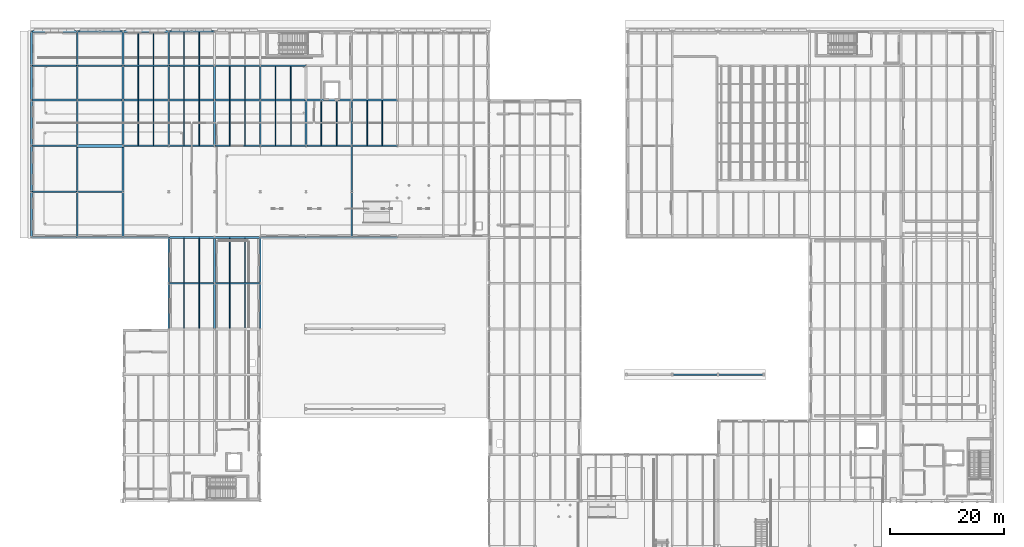
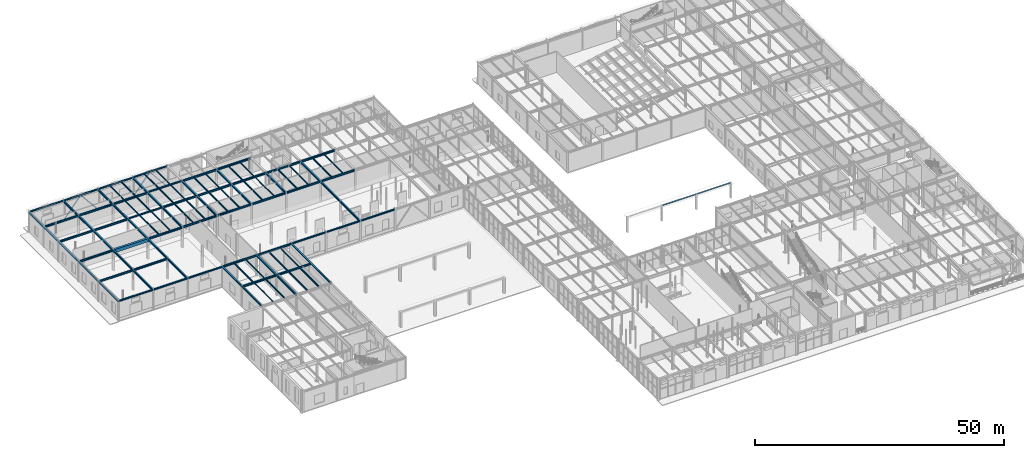
# One storey, part 41 of 129: 104 beams, 4 members.
"""IFC4 building model written with IfcOpenShell, lengths in metres."""

from ifc_helpers import new_model, si_unit, direction, frame, origin, origin_2d, place, context, subcontext, project, spatial, rectangle, hollow_rectangle, hollow_circle, i_section, extrude, material, material_profile, profile_set, type_object, element, save


model = new_model("IFC4")

# Units and contexts
model_context = context("Model", 3, precision=1e-05, world=origin(), true_north=direction((0.0, 1.0)))
body_context = subcontext(model_context, "Body", "Model", "MODEL_VIEW")
ifc_project = project(units=[si_unit("LENGTHUNIT", "METRE"), si_unit("AREAUNIT", "SQUARE_METRE"), si_unit("VOLUMEUNIT", "CUBIC_METRE"), si_unit("PLANEANGLEUNIT", "RADIAN"), si_unit("MASSUNIT", "GRAM", prefix="KILO")], contexts=[model_context])

# Site, building, storey
site_placement = place(None, origin())
site = spatial("IfcSite", under=ifc_project, at=site_placement, CompositionType="ELEMENT")
building_placement = place(site_placement, origin())
building = spatial("IfcBuilding", under=site, at=building_placement, Name="Sundkrona Museum", CompositionType="ELEMENT")
storey_placement = place(building_placement, origin())
storey = spatial("IfcBuildingStorey", under=building, at=storey_placement, Name="L00", CompositionType="ELEMENT", Elevation=0.0)

# Beams
ifc_material_1 = material(Name="Steel S355J2", Category="steel")
ifc_material_profile_1 = material_profile(ifc_material_1, i_section(OverallWidth=0.239990234375, OverallDepth=0.22998046875, WebThickness=0.007568359375, FlangeThickness=0.011962890625, FilletRadius=0.02099609375, at=origin_2d()), Name="HEA 240")
ifc_profile_set_1 = profile_set([ifc_material_profile_1], Name="Steel S355J2")
beam_type_1 = type_object("IfcBeamType", Name="B-HEA240", PredefinedType="BEAM", material=ifc_profile_set_1)
for number, where, z_axis, x_axis, name in (
    (1, (112.0, 54.0, 3.679931640625), (1.0, 0.0, 0.0), (0.0, 1.0, 0.0), "Courtyard Pergola Tie Beam SCN-2"),
    (2, (120.0, 54.0, 3.679931640625), (1.0, 0.0, 0.0), (0.0, 1.0, 0.0), "Courtyard Pergola Tie Beam SCN-3"),
):
    element("IfcBeam", number, at=place(storey_placement, frame(where, z_axis=z_axis, x_axis=x_axis)), inside=storey, type_object=beam_type_1, Name=name, PredefinedType="BEAM", context=body_context, shape_type="SweptSolid", body=[
        extrude(i_section(OverallWidth=0.239990234375, OverallDepth=0.22998046875, WebThickness=0.007568359375, FlangeThickness=0.011962890625, FilletRadius=0.02099609375, at=origin_2d()), origin(), (0.0, 0.0, 1.0), 8.0),
    ])
ifc_material_profile_2 = material_profile(ifc_material_1, i_section(OverallWidth=0.300048828125, OverallDepth=0.2900390625, WebThickness=0.008544921875, FlangeThickness=0.013916015625, FilletRadius=0.027099609375, at=origin_2d()), Name="HEA 300")
ifc_profile_set_2 = profile_set([ifc_material_profile_2], Name="Steel S355J2")
beam_type_2 = type_object("IfcBeamType", Name="B-HEA300", PredefinedType="BEAM", material=ifc_profile_set_2)
beam_1_placement = place(storey_placement, frame((16.0, 102.0, 4.955078125), z_axis=(1.0, 0.0, 0.0), x_axis=(0.0, 1.0, 0.0)))
element("IfcBeam", 3, at=beam_1_placement, inside=storey, type_object=beam_type_2, Name="L00 Girder X-0567", PredefinedType="BEAM", context=body_context, shape_type="SweptSolid", body=[
    extrude(i_section(OverallWidth=0.300048828125, OverallDepth=0.2900390625, WebThickness=0.008544921875, FlangeThickness=0.013916015625, FilletRadius=0.027099609375, at=origin_2d()), origin(), (0.0, 0.0, 1.0), 8.0),
])
ifc_material_profile_3 = material_profile(ifc_material_1, i_section(OverallWidth=0.300048828125, OverallDepth=0.43994140625, WebThickness=0.011474609375, FlangeThickness=0.02099609375, FilletRadius=0.027099609375, at=origin_2d()), Name="HEA 450")
ifc_profile_set_3 = profile_set([ifc_material_profile_3], Name="Steel S355J2")
beam_type_3 = type_object("IfcBeamType", Name="B-HEA450", PredefinedType="BEAM", material=ifc_profile_set_3)
for number, where, z_axis, x_axis, name in (
    (4, (24.0, 70.0, 4.93994140625), (1.0, 0.0, 0.0), (0.0, 1.0, 0.0), "L00 Girder X-0507"),
    (5, (32.0, 70.0, 4.93994140625), (1.0, 0.0, 0.0), (0.0, 1.0, 0.0), "L00 Girder X-0508"),
    (6, (24.0, 78.0, 4.93994140625), (1.0, 0.0, 0.0), (0.0, 1.0, 0.0), "L00 Girder X-0518"),
    (7, (32.0, 78.0, 4.93994140625), (1.0, 0.0, 0.0), (0.0, 1.0, 0.0), "L00 Girder X-0519"),
    (8, (0.0, 86.0, 4.8798828125), (1.0, 0.0, 0.0), (0.0, 1.0, 0.0), "L00 Girder X-0535"),
    (9, (8.0, 86.0, 4.8798828125), (1.0, 0.0, 0.0), (0.0, 1.0, 0.0), "L00 Girder X-0536"),
    (10, (0.0, 94.0, 4.8798828125), (1.0, 0.0, 0.0), (0.0, 1.0, 0.0), "L00 Girder X-0548"),
    (11, (16.0, 94.0, 4.8798828125), (1.0, 0.0, 0.0), (0.0, 1.0, 0.0), "L00 Girder X-0550"),
    (12, (24.0, 94.0, 4.93994140625), (1.0, 0.0, 0.0), (0.0, 1.0, 0.0), "L00 Girder X-0551"),
    (13, (32.0, 94.0, 4.93994140625), (1.0, 0.0, 0.0), (0.0, 1.0, 0.0), "L00 Girder X-0552"),
    (14, (40.0, 94.0, 4.93994140625), (1.0, 0.0, 0.0), (0.0, 1.0, 0.0), "L00 Girder X-0553"),
    (15, (48.0, 94.0, 4.93994140625), (1.0, 0.0, 0.0), (0.0, 1.0, 0.0), "L00 Girder X-0554"),
    (16, (56.0, 94.0, 4.93994140625), (1.0, 0.0, 0.0), (0.0, 1.0, 0.0), "L00 Girder X-0555"),
    (17, (0.0, 102.0, 4.8798828125), (1.0, 0.0, 0.0), (0.0, 1.0, 0.0), "L00 Girder X-0565"),
    (18, (8.0, 102.0, 4.8798828125), (1.0, 0.0, 0.0), (0.0, 1.0, 0.0), "L00 Girder X-0566"),
    (19, (24.0, 102.0, 4.93994140625), (1.0, 0.0, 0.0), (0.0, 1.0, 0.0), "L00 Girder X-0568"),
    (20, (32.0, 102.0, 4.93994140625), (1.0, 0.0, 0.0), (0.0, 1.0, 0.0), "L00 Girder X-0569"),
    (21, (40.0, 102.0, 4.93994140625), (1.0, 0.0, 0.0), (0.0, 1.0, 0.0), "L00 Girder X-0570"),
    (22, (48.0, 102.0, 4.93994140625), (1.0, 0.0, 0.0), (0.0, 1.0, 0.0), "L00 Girder X-0571"),
    (23, (56.0, 102.0, 4.93994140625), (1.0, 0.0, 0.0), (0.0, 1.0, 0.0), "L00 Girder X-0572"),
    (24, (0.0, 108.0, 4.8798828125), (1.0, 0.0, 0.0), (0.0, 1.0, 0.0), "L00 Girder X-0582"),
    (25, (8.0, 108.0, 4.8798828125), (1.0, 0.0, 0.0), (0.0, 1.0, 0.0), "L00 Girder X-0583"),
    (26, (16.0, 108.0, 4.8798828125), (1.0, 0.0, 0.0), (0.0, 1.0, 0.0), "L00 Girder X-0584"),
    (27, (32.0, 108.0, 4.93994140625), (1.0, 0.0, 0.0), (0.0, 1.0, 0.0), "L00 Girder X-0586"),
    (28, (40.0, 108.0, 4.93994140625), (1.0, 0.0, 0.0), (0.0, 1.0, 0.0), "L00 Girder X-0587"),
    (29, (8.0, 78.0, 4.8798828125), (0.0, 1.0, 0.0), (-1.0, 0.0, 0.0), "L00 Girder Y-0620"),
    (30, (8.0, 86.0, 4.8798828125), (0.0, 1.0, 0.0), (-1.0, 0.0, 0.0), "L00 Girder Y-0621"),
    (31, (8.0, 94.0, 4.8798828125), (0.0, 1.0, 0.0), (-1.0, 0.0, 0.0), "L00 Girder Y-0622"),
):
    element("IfcBeam", number, at=place(storey_placement, frame(where, z_axis=z_axis, x_axis=x_axis)), inside=storey, type_object=beam_type_3, Name=name, PredefinedType="BEAM", context=body_context, shape_type="SweptSolid", body=[
        extrude(i_section(OverallWidth=0.300048828125, OverallDepth=0.43994140625, WebThickness=0.011474609375, FlangeThickness=0.02099609375, FilletRadius=0.027099609375, at=origin_2d()), origin(), (0.0, 0.0, 1.0), 8.0),
    ])
for number, where, z_axis, x_axis, name in (
    (32, (8.0, 102.0, 4.8798828125), (0.0, 1.0, 0.0), (-1.0, 0.0, 0.0), "L00 Girder Y-0623"),
    (33, (8.0, 108.0, 4.8798828125), (0.0, 1.0, 0.0), (-1.0, 0.0, 0.0), "L00 Girder Y-0624"),
):
    element("IfcBeam", number, at=place(storey_placement, frame(where, z_axis=z_axis, x_axis=x_axis)), inside=storey, type_object=beam_type_3, Name=name, PredefinedType="BEAM", context=body_context, shape_type="SweptSolid", body=[
        extrude(i_section(OverallWidth=0.300048828125, OverallDepth=0.43994140625, WebThickness=0.011474609375, FlangeThickness=0.02099609375, FilletRadius=0.027099609375, at=origin_2d()), origin(), (0.0, 0.0, 1.0), 6.0),
    ])
for number, where, z_axis, x_axis, name in (
    (34, (16.0, 78.0, 4.8798828125), (0.0, 1.0, 0.0), (-1.0, 0.0, 0.0), "L00 Girder Y-0625"),
    (35, (16.0, 86.0, 4.8798828125), (0.0, 1.0, 0.0), (-1.0, 0.0, 0.0), "L00 Girder Y-0626"),
    (36, (16.0, 94.0, 4.8798828125), (0.0, 1.0, 0.0), (-1.0, 0.0, 0.0), "L00 Girder Y-0627"),
):
    element("IfcBeam", number, at=place(storey_placement, frame(where, z_axis=z_axis, x_axis=x_axis)), inside=storey, type_object=beam_type_3, Name=name, PredefinedType="BEAM", context=body_context, shape_type="SweptSolid", body=[
        extrude(i_section(OverallWidth=0.300048828125, OverallDepth=0.43994140625, WebThickness=0.011474609375, FlangeThickness=0.02099609375, FilletRadius=0.027099609375, at=origin_2d()), origin(), (0.0, 0.0, 1.0), 8.0),
    ])
for number, where, z_axis, x_axis, name in (
    (37, (16.0, 102.0, 4.8798828125), (0.0, 1.0, 0.0), (-1.0, 0.0, 0.0), "L00 Girder Y-0628"),
    (38, (16.0, 108.0, 4.8798828125), (0.0, 1.0, 0.0), (-1.0, 0.0, 0.0), "L00 Girder Y-0629"),
):
    element("IfcBeam", number, at=place(storey_placement, frame(where, z_axis=z_axis, x_axis=x_axis)), inside=storey, type_object=beam_type_3, Name=name, PredefinedType="BEAM", context=body_context, shape_type="SweptSolid", body=[
        extrude(i_section(OverallWidth=0.300048828125, OverallDepth=0.43994140625, WebThickness=0.011474609375, FlangeThickness=0.02099609375, FilletRadius=0.027099609375, at=origin_2d()), origin(), (0.0, 0.0, 1.0), 6.0),
    ])
beam_2_placement = place(storey_placement, frame((24.0, 94.0, 4.93994140625), z_axis=(0.0, 1.0, 0.0), x_axis=(-1.0, 0.0, 0.0)))
element("IfcBeam", 39, at=beam_2_placement, inside=storey, type_object=beam_type_3, Name="L00 Girder Y-0636", PredefinedType="BEAM", context=body_context, shape_type="SweptSolid", body=[
    extrude(i_section(OverallWidth=0.300048828125, OverallDepth=0.43994140625, WebThickness=0.011474609375, FlangeThickness=0.02099609375, FilletRadius=0.027099609375, at=origin_2d()), origin(), (0.0, 0.0, 1.0), 8.0),
])
for number, where, z_axis, x_axis, name in (
    (40, (24.0, 102.0, 4.93994140625), (0.0, 1.0, 0.0), (-1.0, 0.0, 0.0), "L00 Girder Y-0637"),
    (41, (24.0, 108.0, 4.93994140625), (0.0, 1.0, 0.0), (-1.0, 0.0, 0.0), "L00 Girder Y-0638"),
):
    element("IfcBeam", number, at=place(storey_placement, frame(where, z_axis=z_axis, x_axis=x_axis)), inside=storey, type_object=beam_type_3, Name=name, PredefinedType="BEAM", context=body_context, shape_type="SweptSolid", body=[
        extrude(i_section(OverallWidth=0.300048828125, OverallDepth=0.43994140625, WebThickness=0.011474609375, FlangeThickness=0.02099609375, FilletRadius=0.027099609375, at=origin_2d()), origin(), (0.0, 0.0, 1.0), 6.0),
    ])
for number, where, z_axis, x_axis, name in (
    (42, (32.0, 62.0, 4.93994140625), (0.0, 1.0, 0.0), (-1.0, 0.0, 0.0), "L00 Girder Y-0642"),
    (43, (32.0, 70.0, 4.93994140625), (0.0, 1.0, 0.0), (-1.0, 0.0, 0.0), "L00 Girder Y-0643"),
    (44, (32.0, 94.0, 4.93994140625), (0.0, 1.0, 0.0), (-1.0, 0.0, 0.0), "L00 Girder Y-0644"),
):
    element("IfcBeam", number, at=place(storey_placement, frame(where, z_axis=z_axis, x_axis=x_axis)), inside=storey, type_object=beam_type_3, Name=name, PredefinedType="BEAM", context=body_context, shape_type="SweptSolid", body=[
        extrude(i_section(OverallWidth=0.300048828125, OverallDepth=0.43994140625, WebThickness=0.011474609375, FlangeThickness=0.02099609375, FilletRadius=0.027099609375, at=origin_2d()), origin(), (0.0, 0.0, 1.0), 8.0),
    ])
beam_3_placement = place(storey_placement, frame((32.0, 102.0, 4.93994140625), z_axis=(0.0, 1.0, 0.0), x_axis=(-1.0, 0.0, 0.0)))
element("IfcBeam", 45, at=beam_3_placement, inside=storey, type_object=beam_type_3, Name="L00 Girder Y-0645", PredefinedType="BEAM", context=body_context, shape_type="SweptSolid", body=[
    extrude(i_section(OverallWidth=0.300048828125, OverallDepth=0.43994140625, WebThickness=0.011474609375, FlangeThickness=0.02099609375, FilletRadius=0.027099609375, at=origin_2d()), origin(), (0.0, 0.0, 1.0), 6.0),
])
beam_4_placement = place(storey_placement, frame((40.0, 94.0, 4.93994140625), z_axis=(0.0, 1.0, 0.0), x_axis=(-1.0, 0.0, 0.0)))
element("IfcBeam", 46, at=beam_4_placement, inside=storey, type_object=beam_type_3, Name="L00 Girder Y-0653", PredefinedType="BEAM", context=body_context, shape_type="SweptSolid", body=[
    extrude(i_section(OverallWidth=0.300048828125, OverallDepth=0.43994140625, WebThickness=0.011474609375, FlangeThickness=0.02099609375, FilletRadius=0.027099609375, at=origin_2d()), origin(), (0.0, 0.0, 1.0), 8.0),
])
beam_5_placement = place(storey_placement, frame((40.0, 102.0, 4.93994140625), z_axis=(0.0, 1.0, 0.0), x_axis=(-1.0, 0.0, 0.0)))
element("IfcBeam", 47, at=beam_5_placement, inside=storey, type_object=beam_type_3, Name="L00 Girder Y-0654", PredefinedType="BEAM", context=body_context, shape_type="SweptSolid", body=[
    extrude(i_section(OverallWidth=0.300048828125, OverallDepth=0.43994140625, WebThickness=0.011474609375, FlangeThickness=0.02099609375, FilletRadius=0.027099609375, at=origin_2d()), origin(), (0.0, 0.0, 1.0), 6.0),
])
for number, where, z_axis, x_axis, name in (
    (48, (48.0, 94.0, 4.93994140625), (0.0, 1.0, 0.0), (-1.0, 0.0, 0.0), "L00 Girder Y-0656"),
    (49, (56.0, 78.0, 4.93994140625), (0.0, 1.0, 0.0), (-1.0, 0.0, 0.0), "L00 Girder Y-0658"),
    (50, (56.0, 86.0, 4.93994140625), (0.0, 1.0, 0.0), (-1.0, 0.0, 0.0), "L00 Girder Y-0659"),
    (51, (56.0, 94.0, 4.93994140625), (0.0, 1.0, 0.0), (-1.0, 0.0, 0.0), "L00 Girder Y-0660"),
):
    element("IfcBeam", number, at=place(storey_placement, frame(where, z_axis=z_axis, x_axis=x_axis)), inside=storey, type_object=beam_type_3, Name=name, PredefinedType="BEAM", context=body_context, shape_type="SweptSolid", body=[
        extrude(i_section(OverallWidth=0.300048828125, OverallDepth=0.43994140625, WebThickness=0.011474609375, FlangeThickness=0.02099609375, FilletRadius=0.027099609375, at=origin_2d()), origin(), (0.0, 0.0, 1.0), 8.0),
    ])
ifc_material_profile_4 = material_profile(ifc_material_1, i_section(OverallWidth=0.300048828125, OverallDepth=0.300048828125, WebThickness=0.010986328125, FlangeThickness=0.01904296875, FilletRadius=0.027099609375, at=origin_2d()), Name="HEB 300")
ifc_profile_set_4 = profile_set([ifc_material_profile_4], Name="Steel S355J2")
beam_type_4 = type_object("IfcBeamType", Name="B-HEB300", PredefinedType="BEAM", material=ifc_profile_set_4)
beam_6_placement = place(storey_placement, frame((24.0, 108.0, 5.010009765625), z_axis=(1.0, 0.0, 0.0), x_axis=(0.0, 1.0, 0.0)))
element("IfcBeam", 52, at=beam_6_placement, inside=storey, type_object=beam_type_4, Name="L00 Girder X-0585", PredefinedType="BEAM", context=body_context, shape_type="SweptSolid", body=[
    extrude(i_section(OverallWidth=0.300048828125, OverallDepth=0.300048828125, WebThickness=0.010986328125, FlangeThickness=0.01904296875, FilletRadius=0.027099609375, at=origin_2d()), origin(), (0.0, 0.0, 1.0), 8.0),
])
ifc_material_2 = material(Name="Concrete C40/50", Category="concrete")
ifc_material_profile_5 = material_profile(ifc_material_2, rectangle(XDim=0.5, YDim=0.800048828125, at=origin_2d()), Name="RCB 500x800")
ifc_profile_set_5 = profile_set([ifc_material_profile_5], Name="Concrete C40/50")
beam_type_5 = type_object("IfcBeamType", Name="B-RC500", PredefinedType="BEAM", material=ifc_profile_set_5)
beam_7_placement = place(storey_placement, frame((8.0, 94.0, 4.699951171875), z_axis=(1.0, 0.0, 0.0), x_axis=(0.0, 1.0, 0.0)))
element("IfcBeam", 53, at=beam_7_placement, inside=storey, type_object=beam_type_5, Name="L00 Girder X-0549", PredefinedType="BEAM", context=body_context, shape_type="SweptSolid", body=[
    extrude(rectangle(XDim=0.5, YDim=0.800048828125, at=origin_2d()), origin(), (0.0, 0.0, 1.0), 8.0),
])

# Members
ifc_material_profile_6 = material_profile(ifc_material_1, hollow_circle(Radius=0.136474609375, WallThickness=0.012451171875, at=origin_2d()), Name="CHS 273.0x12.5")
ifc_profile_set_6 = profile_set([ifc_material_profile_6], Name="Steel S355J2")
member_type_1 = type_object("IfcMemberType", Name="BR-CHS273", PredefinedType="BRACE", material=ifc_profile_set_6)
for number, where, z_axis, x_axis, name in (
    (54, (8.0, 114.0, 0.0), (0.63393706041, 0.0, 0.773384641326), (0.0, 1.0, 0.0), "CBR-1 L00 Concentric Chevron Brace 033A"),
    (55, (16.0, 114.0, 0.0), (-0.63393706041, 0.0, 0.773384641326), (0.0, -1.0, 0.0), "CBR-1 L00 Concentric Chevron Brace 033B"),
):
    element("IfcMember", number, at=place(storey_placement, frame(where, z_axis=z_axis, x_axis=x_axis)), inside=storey, type_object=member_type_1, Name=name, PredefinedType="BRACE", context=body_context, shape_type="SweptSolid", body=[
        extrude(hollow_circle(Radius=0.136474609375, WallThickness=0.012451171875, at=origin_2d()), origin(), (0.0, 0.0, 1.0), 6.309814453125),
    ])
ifc_material_profile_7 = material_profile(ifc_material_1, hollow_rectangle(XDim=0.199951171875, YDim=0.199951171875, WallThickness=0.010009765625, at=origin_2d()), Name="SHS 200x200x10.0")
ifc_profile_set_7 = profile_set([ifc_material_profile_7], Name="Steel S355J2")
member_type_2 = type_object("IfcMemberType", Name="BR-SHS200", PredefinedType="BRACE", material=ifc_profile_set_7)
for number, where, z_axis, x_axis, name in (
    (56, (24.0, 114.0, 0.0), (0.629293246808, 0.0, 0.777167941645), (0.0, 1.0, 0.0), "CBR-1 L00 Concentric Chevron Brace 014A"),
    (57, (32.0, 114.0, 0.0), (-0.629293246808, 0.0, 0.777167941645), (0.0, -1.0, 0.0), "CBR-1 L00 Concentric Chevron Brace 014B"),
):
    element("IfcMember", number, at=place(storey_placement, frame(where, z_axis=z_axis, x_axis=x_axis)), inside=storey, type_object=member_type_2, Name=name, PredefinedType="BRACE", context=body_context, shape_type="SweptSolid", body=[
        extrude(hollow_rectangle(XDim=0.199951171875, YDim=0.199951171875, WallThickness=0.010009765625, at=origin_2d()), origin(), (0.0, 0.0, 1.0), 6.3564453125),
    ])

# Beams
ifc_material_profile_8 = material_profile(ifc_material_1, i_section(OverallWidth=0.091064453125, OverallDepth=0.179931640625, WebThickness=0.00537109375, FlangeThickness=0.008056640625, FilletRadius=0.009033203125, at=origin_2d()), Name="IPE 180")
ifc_profile_set_8 = profile_set([ifc_material_profile_8], Name="Steel S355J2")
beam_type_6 = type_object("IfcBeamType", Name="J-IPE180", PredefinedType="JOIST", material=ifc_profile_set_8)
beam_8_placement = place(storey_placement, frame((26.666748046875, 62.14404296875, 5.070068359375), z_axis=(0.0, 1.0, 0.0), x_axis=(-1.0, 0.0, 0.0)))
element("IfcBeam", 58, at=beam_8_placement, inside=storey, type_object=beam_type_6, Name="L00 Composite Joist 0335", PredefinedType="JOIST", context=body_context, shape_type="SweptSolid", body=[
    extrude(i_section(OverallWidth=0.091064453125, OverallDepth=0.179931640625, WebThickness=0.00537109375, FlangeThickness=0.008056640625, FilletRadius=0.009033203125, at=origin_2d()), origin(), (0.0, 0.0, 1.0), 7.7119140625),
])
ifc_material_profile_9 = material_profile(ifc_material_1, i_section(OverallWidth=0.10009765625, OverallDepth=0.199951171875, WebThickness=0.005615234375, FlangeThickness=0.008544921875, FilletRadius=0.011962890625, at=origin_2d()), Name="IPE 200")
ifc_profile_set_9 = profile_set([ifc_material_profile_9], Name="Steel S355J2")
beam_type_7 = type_object("IfcBeamType", Name="J-IPE200", PredefinedType="JOIST", material=ifc_profile_set_9)
beam_9_placement = place(storey_placement, frame((45.333251953125, 94.14404296875, 5.06005859375), z_axis=(0.0, 1.0, 0.0), x_axis=(-1.0, 0.0, 0.0)))
element("IfcBeam", 59, at=beam_9_placement, inside=storey, type_object=beam_type_7, Name="L00 Composite Joist 0360", PredefinedType="JOIST", context=body_context, shape_type="SweptSolid", body=[
    extrude(i_section(OverallWidth=0.10009765625, OverallDepth=0.199951171875, WebThickness=0.005615234375, FlangeThickness=0.008544921875, FilletRadius=0.011962890625, at=origin_2d()), origin(), (0.0, 0.0, 1.0), 7.7119140625),
])
ifc_material_profile_10 = material_profile(ifc_material_1, i_section(OverallWidth=0.14990234375, OverallDepth=0.300048828125, WebThickness=0.007080078125, FlangeThickness=0.0107421875, FilletRadius=0.014892578125, at=origin_2d()), Name="IPE 300")
ifc_profile_set_10 = profile_set([ifc_material_profile_10], Name="Steel S355J2")
beam_type_8 = type_object("IfcBeamType", Name="J-IPE300", PredefinedType="JOIST", material=ifc_profile_set_10)
beam_10_placement = place(storey_placement, frame((34.666748046875, 102.14404296875, 5.010009765625), z_axis=(0.0, 1.0, 0.0), x_axis=(-1.0, 0.0, 0.0)))
element("IfcBeam", 60, at=beam_10_placement, inside=storey, type_object=beam_type_8, Name="L00 Composite Joist 0355", PredefinedType="JOIST", context=body_context, shape_type="SweptSolid", body=[
    extrude(i_section(OverallWidth=0.14990234375, OverallDepth=0.300048828125, WebThickness=0.007080078125, FlangeThickness=0.0107421875, FilletRadius=0.014892578125, at=origin_2d()), origin(), (0.0, 0.0, 1.0), 5.7119140625),
])
ifc_material_profile_11 = material_profile(ifc_material_1, i_section(OverallWidth=0.159912109375, OverallDepth=0.330078125, WebThickness=0.007568359375, FlangeThickness=0.011474609375, FilletRadius=0.01806640625, at=origin_2d()), Name="IPE 330")
ifc_profile_set_11 = profile_set([ifc_material_profile_11], Name="Steel S355J2")
beam_type_9 = type_object("IfcBeamType", Name="J-IPE330", PredefinedType="JOIST", material=ifc_profile_set_11)
for number, where, z_axis, x_axis, name in (
    (61, (18.666748046875, 94.14404296875, 4.93505859375), (0.0, 1.0, 0.0), (-1.0, 0.0, 0.0), "L00 Composite Joist 0322"),
    (62, (21.333251953125, 94.14404296875, 4.93505859375), (0.0, 1.0, 0.0), (-1.0, 0.0, 0.0), "L00 Composite Joist 0323"),
):
    element("IfcBeam", number, at=place(storey_placement, frame(where, z_axis=z_axis, x_axis=x_axis)), inside=storey, type_object=beam_type_9, Name=name, PredefinedType="JOIST", context=body_context, shape_type="SweptSolid", body=[
        extrude(i_section(OverallWidth=0.159912109375, OverallDepth=0.330078125, WebThickness=0.007568359375, FlangeThickness=0.011474609375, FilletRadius=0.01806640625, at=origin_2d()), origin(), (0.0, 0.0, 1.0), 7.7119140625),
    ])
for number, where, z_axis, x_axis, name in (
    (63, (18.666748046875, 102.14404296875, 4.93505859375), (0.0, 1.0, 0.0), (-1.0, 0.0, 0.0), "L00 Composite Joist 0324"),
    (64, (18.666748046875, 108.14404296875, 4.93505859375), (0.0, 1.0, 0.0), (-1.0, 0.0, 0.0), "L00 Composite Joist 0326"),
    (65, (21.333251953125, 108.14404296875, 4.93505859375), (0.0, 1.0, 0.0), (-1.0, 0.0, 0.0), "L00 Composite Joist 0327"),
):
    element("IfcBeam", number, at=place(storey_placement, frame(where, z_axis=z_axis, x_axis=x_axis)), inside=storey, type_object=beam_type_9, Name=name, PredefinedType="JOIST", context=body_context, shape_type="SweptSolid", body=[
        extrude(i_section(OverallWidth=0.159912109375, OverallDepth=0.330078125, WebThickness=0.007568359375, FlangeThickness=0.011474609375, FilletRadius=0.01806640625, at=origin_2d()), origin(), (0.0, 0.0, 1.0), 5.7119140625),
    ])
for number, where, z_axis, x_axis, name in (
    (66, (29.333251953125, 62.14404296875, 4.9951171875), (0.0, 1.0, 0.0), (-1.0, 0.0, 0.0), "L00 Composite Joist 0336"),
    (67, (26.666748046875, 70.14404296875, 4.9951171875), (0.0, 1.0, 0.0), (-1.0, 0.0, 0.0), "L00 Composite Joist 0337"),
    (68, (29.333251953125, 70.14404296875, 4.9951171875), (0.0, 1.0, 0.0), (-1.0, 0.0, 0.0), "L00 Composite Joist 0338"),
    (69, (26.666748046875, 94.14404296875, 4.9951171875), (0.0, 1.0, 0.0), (-1.0, 0.0, 0.0), "L00 Composite Joist 0339"),
    (70, (29.333251953125, 94.14404296875, 4.9951171875), (0.0, 1.0, 0.0), (-1.0, 0.0, 0.0), "L00 Composite Joist 0340"),
):
    element("IfcBeam", number, at=place(storey_placement, frame(where, z_axis=z_axis, x_axis=x_axis)), inside=storey, type_object=beam_type_9, Name=name, PredefinedType="JOIST", context=body_context, shape_type="SweptSolid", body=[
        extrude(i_section(OverallWidth=0.159912109375, OverallDepth=0.330078125, WebThickness=0.007568359375, FlangeThickness=0.011474609375, FilletRadius=0.01806640625, at=origin_2d()), origin(), (0.0, 0.0, 1.0), 7.7119140625),
    ])
for number, where, z_axis, x_axis, name in (
    (71, (26.666748046875, 102.14404296875, 4.9951171875), (0.0, 1.0, 0.0), (-1.0, 0.0, 0.0), "L00 Composite Joist 0341"),
    (72, (29.333251953125, 102.14404296875, 4.9951171875), (0.0, 1.0, 0.0), (-1.0, 0.0, 0.0), "L00 Composite Joist 0342"),
    (73, (26.666748046875, 108.14404296875, 4.9951171875), (0.0, 1.0, 0.0), (-1.0, 0.0, 0.0), "L00 Composite Joist 0343"),
    (74, (29.333251953125, 108.14404296875, 4.9951171875), (0.0, 1.0, 0.0), (-1.0, 0.0, 0.0), "L00 Composite Joist 0344"),
):
    element("IfcBeam", number, at=place(storey_placement, frame(where, z_axis=z_axis, x_axis=x_axis)), inside=storey, type_object=beam_type_9, Name=name, PredefinedType="JOIST", context=body_context, shape_type="SweptSolid", body=[
        extrude(i_section(OverallWidth=0.159912109375, OverallDepth=0.330078125, WebThickness=0.007568359375, FlangeThickness=0.011474609375, FilletRadius=0.01806640625, at=origin_2d()), origin(), (0.0, 0.0, 1.0), 5.7119140625),
    ])
for number, where, z_axis, x_axis, name in (
    (75, (34.666748046875, 62.14404296875, 4.9951171875), (0.0, 1.0, 0.0), (-1.0, 0.0, 0.0), "L00 Composite Joist 0349"),
    (76, (34.666748046875, 70.14404296875, 4.9951171875), (0.0, 1.0, 0.0), (-1.0, 0.0, 0.0), "L00 Composite Joist 0351"),
    (77, (37.333251953125, 70.14404296875, 4.9951171875), (0.0, 1.0, 0.0), (-1.0, 0.0, 0.0), "L00 Composite Joist 0352"),
    (78, (34.666748046875, 94.14404296875, 4.9951171875), (0.0, 1.0, 0.0), (-1.0, 0.0, 0.0), "L00 Composite Joist 0353"),
    (79, (37.333251953125, 94.14404296875, 4.9951171875), (0.0, 1.0, 0.0), (-1.0, 0.0, 0.0), "L00 Composite Joist 0354"),
):
    element("IfcBeam", number, at=place(storey_placement, frame(where, z_axis=z_axis, x_axis=x_axis)), inside=storey, type_object=beam_type_9, Name=name, PredefinedType="JOIST", context=body_context, shape_type="SweptSolid", body=[
        extrude(i_section(OverallWidth=0.159912109375, OverallDepth=0.330078125, WebThickness=0.007568359375, FlangeThickness=0.011474609375, FilletRadius=0.01806640625, at=origin_2d()), origin(), (0.0, 0.0, 1.0), 7.7119140625),
    ])
beam_11_placement = place(storey_placement, frame((37.333251953125, 102.14404296875, 4.9951171875), z_axis=(0.0, 1.0, 0.0), x_axis=(-1.0, 0.0, 0.0)))
element("IfcBeam", 80, at=beam_11_placement, inside=storey, type_object=beam_type_9, Name="L00 Composite Joist 0356", PredefinedType="JOIST", context=body_context, shape_type="SweptSolid", body=[
    extrude(i_section(OverallWidth=0.159912109375, OverallDepth=0.330078125, WebThickness=0.007568359375, FlangeThickness=0.011474609375, FilletRadius=0.01806640625, at=origin_2d()), origin(), (0.0, 0.0, 1.0), 5.7119140625),
])
beam_12_placement = place(storey_placement, frame((42.666748046875, 94.14404296875, 4.9951171875), z_axis=(0.0, 1.0, 0.0), x_axis=(-1.0, 0.0, 0.0)))
element("IfcBeam", 81, at=beam_12_placement, inside=storey, type_object=beam_type_9, Name="L00 Composite Joist 0359", PredefinedType="JOIST", context=body_context, shape_type="SweptSolid", body=[
    extrude(i_section(OverallWidth=0.159912109375, OverallDepth=0.330078125, WebThickness=0.007568359375, FlangeThickness=0.011474609375, FilletRadius=0.01806640625, at=origin_2d()), origin(), (0.0, 0.0, 1.0), 7.7119140625),
])
for number, where, z_axis, x_axis, name in (
    (82, (42.666748046875, 102.14404296875, 4.9951171875), (0.0, 1.0, 0.0), (-1.0, 0.0, 0.0), "L00 Composite Joist 0361"),
    (83, (45.333251953125, 102.14404296875, 4.9951171875), (0.0, 1.0, 0.0), (-1.0, 0.0, 0.0), "L00 Composite Joist 0362"),
):
    element("IfcBeam", number, at=place(storey_placement, frame(where, z_axis=z_axis, x_axis=x_axis)), inside=storey, type_object=beam_type_9, Name=name, PredefinedType="JOIST", context=body_context, shape_type="SweptSolid", body=[
        extrude(i_section(OverallWidth=0.159912109375, OverallDepth=0.330078125, WebThickness=0.007568359375, FlangeThickness=0.011474609375, FilletRadius=0.01806640625, at=origin_2d()), origin(), (0.0, 0.0, 1.0), 5.7119140625),
    ])
for number, where, z_axis, x_axis, name in (
    (84, (50.666748046875, 94.14404296875, 4.9951171875), (0.0, 1.0, 0.0), (-1.0, 0.0, 0.0), "L00 Composite Joist 0363"),
    (85, (53.333251953125, 94.14404296875, 4.9951171875), (0.0, 1.0, 0.0), (-1.0, 0.0, 0.0), "L00 Composite Joist 0364"),
    (86, (58.666748046875, 94.14404296875, 4.9951171875), (0.0, 1.0, 0.0), (-1.0, 0.0, 0.0), "L00 Composite Joist 0367"),
    (87, (61.333251953125, 94.14404296875, 4.9951171875), (0.0, 1.0, 0.0), (-1.0, 0.0, 0.0), "L00 Composite Joist 0368"),
):
    element("IfcBeam", number, at=place(storey_placement, frame(where, z_axis=z_axis, x_axis=x_axis)), inside=storey, type_object=beam_type_9, Name=name, PredefinedType="JOIST", context=body_context, shape_type="SweptSolid", body=[
        extrude(i_section(OverallWidth=0.159912109375, OverallDepth=0.330078125, WebThickness=0.007568359375, FlangeThickness=0.011474609375, FilletRadius=0.01806640625, at=origin_2d()), origin(), (0.0, 0.0, 1.0), 7.7119140625),
    ])
ifc_material_profile_12 = material_profile(ifc_material_1, i_section(OverallWidth=0.169921875, OverallDepth=0.360107421875, WebThickness=0.008056640625, FlangeThickness=0.0126953125, FilletRadius=0.01806640625, at=origin_2d()), Name="IPE 360")
ifc_profile_set_12 = profile_set([ifc_material_profile_12], Name="Steel S355J2")
beam_type_10 = type_object("IfcBeamType", Name="J-IPE360", PredefinedType="JOIST", material=ifc_profile_set_12)
beam_13_placement = place(storey_placement, frame((21.333251953125, 102.14404296875, 4.919921875), z_axis=(0.0, 1.0, 0.0), x_axis=(-1.0, 0.0, 0.0)))
element("IfcBeam", 88, at=beam_13_placement, inside=storey, type_object=beam_type_10, Name="L00 Composite Joist 0325", PredefinedType="JOIST", context=body_context, shape_type="SweptSolid", body=[
    extrude(i_section(OverallWidth=0.169921875, OverallDepth=0.360107421875, WebThickness=0.008056640625, FlangeThickness=0.0126953125, FilletRadius=0.01806640625, at=origin_2d()), origin(), (0.0, 0.0, 1.0), 5.7119140625),
])
ifc_material_profile_13 = material_profile(ifc_material_1, i_section(OverallWidth=0.179931640625, OverallDepth=0.39990234375, WebThickness=0.008544921875, FlangeThickness=0.013427734375, FilletRadius=0.02099609375, at=origin_2d()), Name="IPE 400")
ifc_profile_set_13 = profile_set([ifc_material_profile_13], Name="Steel S355J2")
beam_type_11 = type_object("IfcBeamType", Name="J-IPE400", PredefinedType="JOIST", material=ifc_profile_set_13)
beam_14_placement = place(storey_placement, frame((37.333251953125, 62.14404296875, 4.9599609375), z_axis=(0.0, 1.0, 0.0), x_axis=(-1.0, 0.0, 0.0)))
element("IfcBeam", 89, at=beam_14_placement, inside=storey, type_object=beam_type_11, Name="L00 Composite Joist 0350", PredefinedType="JOIST", context=body_context, shape_type="SweptSolid", body=[
    extrude(i_section(OverallWidth=0.179931640625, OverallDepth=0.39990234375, WebThickness=0.008544921875, FlangeThickness=0.013427734375, FilletRadius=0.02099609375, at=origin_2d()), origin(), (0.0, 0.0, 1.0), 7.7119140625),
])
ifc_material_profile_14 = material_profile(ifc_material_1, i_section(OverallWidth=0.300048828125, OverallDepth=0.320068359375, WebThickness=0.011474609375, FlangeThickness=0.0205078125, FilletRadius=0.027099609375, at=origin_2d()), Name="HEB 320")
ifc_profile_set_14 = profile_set([ifc_material_profile_14], Name="Steel S355J2")
beam_type_12 = type_object("IfcBeamType", Name="SP-HEB320", PredefinedType="SPANDREL", material=ifc_profile_set_14)
for number, where, z_axis, x_axis, name in (
    (90, (0.0, 78.0, 4.93994140625), (1.0, 0.0, 0.0), (0.0, 1.0, 0.0), "L00 Girder X-0515"),
    (91, (8.0, 78.0, 4.93994140625), (1.0, 0.0, 0.0), (0.0, 1.0, 0.0), "L00 Girder X-0516"),
    (92, (16.0, 78.0, 4.93994140625), (1.0, 0.0, 0.0), (0.0, 1.0, 0.0), "L00 Girder X-0517"),
    (93, (40.0, 78.0, 5.0), (1.0, 0.0, 0.0), (0.0, 1.0, 0.0), "L00 Girder X-0520"),
    (94, (48.0, 78.0, 5.0), (1.0, 0.0, 0.0), (0.0, 1.0, 0.0), "L00 Girder X-0521"),
    (95, (56.0, 78.0, 5.0), (1.0, 0.0, 0.0), (0.0, 1.0, 0.0), "L00 Girder X-0522"),
    (96, (0.0, 114.0, 4.93994140625), (1.0, 0.0, 0.0), (0.0, 1.0, 0.0), "L00 Girder X-0597"),
    (97, (8.0, 114.0, 4.93994140625), (1.0, 0.0, 0.0), (0.0, 1.0, 0.0), "L00 Girder X-0598"),
    (98, (16.0, 114.0, 4.93994140625), (1.0, 0.0, 0.0), (0.0, 1.0, 0.0), "L00 Girder X-0599"),
    (99, (24.0, 114.0, 5.0), (1.0, 0.0, 0.0), (0.0, 1.0, 0.0), "L00 Girder X-0600"),
    (100, (0.0, 78.0, 4.93994140625), (0.0, 1.0, 0.0), (-1.0, 0.0, 0.0), "L00 Girder Y-0615"),
    (101, (0.0, 86.0, 4.93994140625), (0.0, 1.0, 0.0), (-1.0, 0.0, 0.0), "L00 Girder Y-0616"),
    (102, (0.0, 94.0, 4.93994140625), (0.0, 1.0, 0.0), (-1.0, 0.0, 0.0), "L00 Girder Y-0617"),
):
    element("IfcBeam", number, at=place(storey_placement, frame(where, z_axis=z_axis, x_axis=x_axis)), inside=storey, type_object=beam_type_12, Name=name, PredefinedType="SPANDREL", context=body_context, shape_type="SweptSolid", body=[
        extrude(i_section(OverallWidth=0.300048828125, OverallDepth=0.320068359375, WebThickness=0.011474609375, FlangeThickness=0.0205078125, FilletRadius=0.027099609375, at=origin_2d()), origin(), (0.0, 0.0, 1.0), 8.0),
    ])
for number, where, z_axis, x_axis, name in (
    (103, (0.0, 102.0, 4.93994140625), (0.0, 1.0, 0.0), (-1.0, 0.0, 0.0), "L00 Girder Y-0618"),
    (104, (0.0, 108.0, 4.93994140625), (0.0, 1.0, 0.0), (-1.0, 0.0, 0.0), "L00 Girder Y-0619"),
):
    element("IfcBeam", number, at=place(storey_placement, frame(where, z_axis=z_axis, x_axis=x_axis)), inside=storey, type_object=beam_type_12, Name=name, PredefinedType="SPANDREL", context=body_context, shape_type="SweptSolid", body=[
        extrude(i_section(OverallWidth=0.300048828125, OverallDepth=0.320068359375, WebThickness=0.011474609375, FlangeThickness=0.0205078125, FilletRadius=0.027099609375, at=origin_2d()), origin(), (0.0, 0.0, 1.0), 6.0),
    ])
for number, where, z_axis, x_axis, name in (
    (105, (24.0, 62.0, 5.0), (0.0, 1.0, 0.0), (-1.0, 0.0, 0.0), "L00 Girder Y-0634"),
    (106, (24.0, 70.0, 5.0), (0.0, 1.0, 0.0), (-1.0, 0.0, 0.0), "L00 Girder Y-0635"),
    (107, (40.0, 62.0, 5.0), (0.0, 1.0, 0.0), (-1.0, 0.0, 0.0), "L00 Girder Y-0651"),
    (108, (40.0, 70.0, 5.0), (0.0, 1.0, 0.0), (-1.0, 0.0, 0.0), "L00 Girder Y-0652"),
):
    element("IfcBeam", number, at=place(storey_placement, frame(where, z_axis=z_axis, x_axis=x_axis)), inside=storey, type_object=beam_type_12, Name=name, PredefinedType="SPANDREL", context=body_context, shape_type="SweptSolid", body=[
        extrude(i_section(OverallWidth=0.300048828125, OverallDepth=0.320068359375, WebThickness=0.011474609375, FlangeThickness=0.0205078125, FilletRadius=0.027099609375, at=origin_2d()), origin(), (0.0, 0.0, 1.0), 8.0),
    ])

save(model, "model.ifc")
